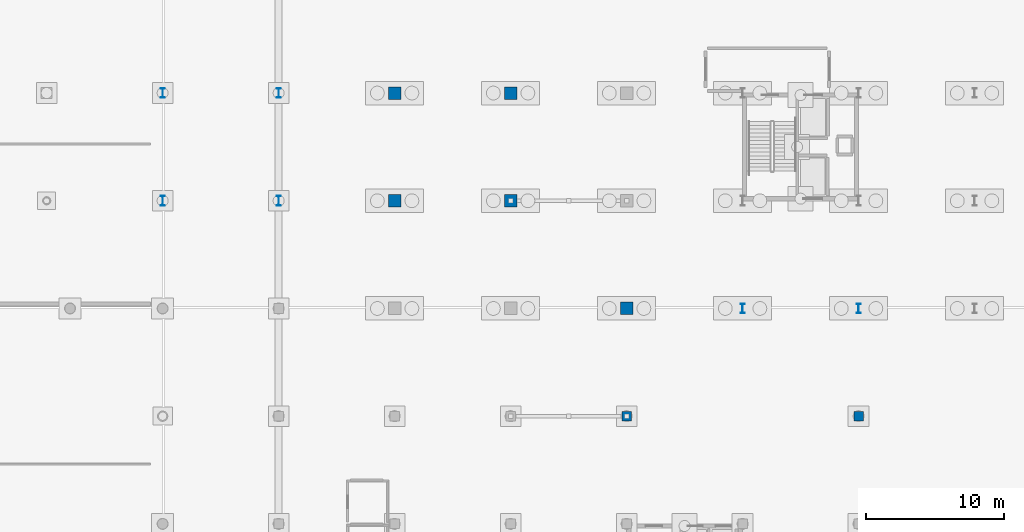
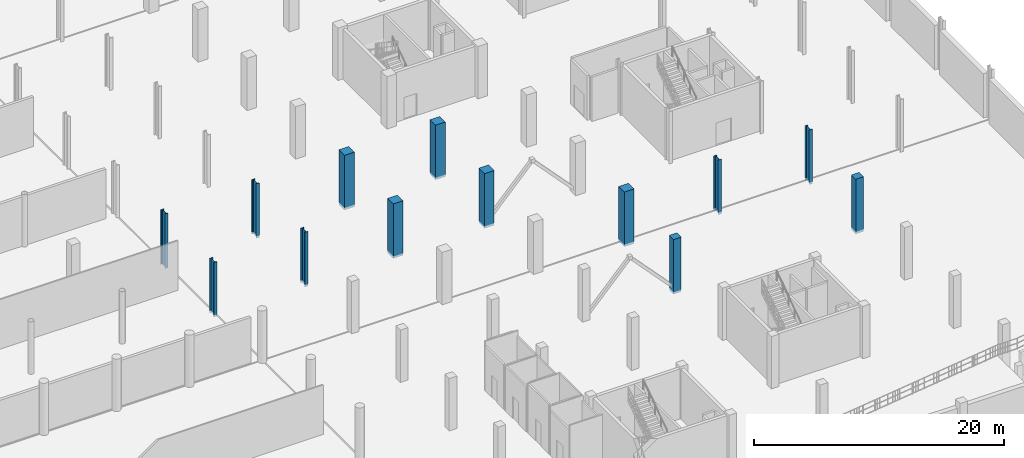
# One storey, part 16 of 48: 13 columns.
"""IFC4 building model written with IfcOpenShell, lengths in metres."""

import ifcopenshell
import ifcopenshell.guid

model = None  # the IFC model being written
_history = None  # IfcOwnerHistory: only IFC2X3 demands one
_inside = {}  # id of a spatial element -> (the spatial element, [elements in it])
_under = {}  # id of a project, library or spatial element -> (it, [spatial elements below it])
_declared = {}  # id of a project -> (the project, [libraries it declares])
_typed = {}  # id of a type object -> (the type object, [elements of that type])
_made_of = {}  # id of a material, layer set ... -> (it, [elements and type objects made of it])


def new_model(schema):
    """Start an empty IFC model of exactly this schema.

    Asked for "IFC4X3", IfcOpenShell would pick the latest addendum, in which some entities
    have other attributes; the version numbers below select the first issue.
    IFC2X3 requires an IfcOwnerHistory on every rooted entity: one is made here for all.
    """
    global model, _history
    if schema == "IFC4X3":
        model = ifcopenshell.file(schema_version=(4, 3, 0, 0))
    else:
        model = ifcopenshell.file(schema=schema)
    _inside.clear()
    _under.clear()
    _declared.clear()
    _typed.clear()
    _made_of.clear()
    _history = None
    if model.schema == "IFC2X3":
        org = make("IfcOrganization", Name="unknown")
        user = make(
            "IfcPersonAndOrganization",
            ThePerson=make("IfcPerson", FamilyName="unknown"),
            TheOrganization=org,
        )
        app = make(
            "IfcApplication",
            ApplicationDeveloper=org,
            Version="unknown",
            ApplicationFullName="unknown",
            ApplicationIdentifier="unknown",
        )
        _history = make(
            "IfcOwnerHistory",
            OwningUser=user,
            OwningApplication=app,
            ChangeAction="ADDED",
            CreationDate=0,
        )
    return model


def make(cls, **values):
    """One entity of the class cls with the attributes given. An attribute that is None is left unset."""
    return model.create_entity(
        cls, **{name: value for name, value in values.items() if value is not None}
    )


def rooted(cls, **values):
    """An entity with a GlobalId (a new one), such as an element, a storey or a relation."""
    return make(cls, GlobalId=ifcopenshell.guid.new(), OwnerHistory=_history, **values)


def si_unit(unit_type, name, prefix=None):
    """IfcSIUnit, for example si_unit("LENGTHUNIT", "METRE", prefix="MILLI")."""
    return make("IfcSIUnit", UnitType=unit_type, Prefix=prefix, Name=name)


def assignment(units):
    """IfcUnitAssignment: the units of a project."""
    return None if units is None else make("IfcUnitAssignment", Units=units)


def point(xyz):
    """IfcCartesianPoint."""
    return None if xyz is None else make("IfcCartesianPoint", Coordinates=xyz)


def direction(xyz):
    """IfcDirection."""
    return None if xyz is None else make("IfcDirection", DirectionRatios=xyz)


def frame(location, z_axis=None, x_axis=None):
    """IfcAxis2Placement3D, a coordinate frame: its origin and axes. An axis left out is left unset."""
    return make(
        "IfcAxis2Placement3D",
        Location=point(location),
        Axis=direction(z_axis),
        RefDirection=direction(x_axis),
    )


def frame_2d(location, x_axis=None):
    """IfcAxis2Placement2D, a coordinate frame in the plane: its origin and x axis."""
    return make(
        "IfcAxis2Placement2D", Location=point(location), RefDirection=direction(x_axis)
    )


def origin():
    """The frame at (0, 0, 0) with its axes left unset."""
    return frame((0.0, 0.0, 0.0))


def origin_2d():
    """The frame at (0, 0) in the plane with its x axis left unset."""
    return frame_2d((0.0, 0.0))


def place(relative_to, where):
    """IfcLocalPlacement: puts the frame where relative to a parent placement (None: the world)."""
    return make(
        "IfcLocalPlacement", PlacementRelTo=relative_to, RelativePlacement=where
    )


def context(
    kind, dimensions, precision=None, world=None, true_north=None, identifier=None
):
    """IfcGeometricRepresentationContext, for example the 3D "Model" context."""
    return make(
        "IfcGeometricRepresentationContext",
        ContextIdentifier=identifier,
        ContextType=kind,
        CoordinateSpaceDimension=dimensions,
        Precision=precision,
        WorldCoordinateSystem=world,
        TrueNorth=true_north,
    )


def subcontext(parent, identifier, kind, view, scale=None):
    """IfcGeometricRepresentationSubContext, for example "Body" below "Model"."""
    return make(
        "IfcGeometricRepresentationSubContext",
        ContextIdentifier=identifier,
        ContextType=kind,
        ParentContext=parent,
        TargetScale=scale,
        TargetView=view,
    )


def project(units=None, contexts=None):
    """IfcProject with its units and contexts."""
    return rooted(
        "IfcProject",
        Name="project",
        RepresentationContexts=contexts,
        UnitsInContext=assignment(units),
    )


def spatial(cls, under=None, at=None, **own):
    """A site, building, storey or space (cls), placed at a placement, below another one or the project."""
    s = rooted(cls, ObjectPlacement=at, **own)
    if under is not None:
        _under.setdefault(under.id(), (under, []))[1].append(s)
    return s


def profile(cls, at=None, kind="AREA", **sizes):
    """A parametric profile (cls). Its sizes go by their IFC names, for example OverallWidth=200.0."""
    return make(cls, ProfileType=kind, Position=at, **sizes)


def rectangle(**sizes):
    """IfcRectangleProfileDef."""
    return profile("IfcRectangleProfileDef", **sizes)


def i_section(**sizes):
    """IfcIShapeProfileDef."""
    return profile("IfcIShapeProfileDef", **sizes)


def extrude(swept, where, along, depth):
    """IfcExtrudedAreaSolid: the profile swept, set in the frame where, extruded along a direction by depth."""
    return make(
        "IfcExtrudedAreaSolid",
        SweptArea=swept,
        Position=where,
        ExtrudedDirection=direction(along),
        Depth=depth,
    )


def shape(context_of_items, identifier, shape_type, items):
    """IfcShapeRepresentation: the items that make up one representation, for example the "Body"."""
    return make(
        "IfcShapeRepresentation",
        ContextOfItems=context_of_items,
        RepresentationIdentifier=identifier,
        RepresentationType=shape_type,
        Items=items,
    )


def material(Name=None, Category=None):
    """IfcMaterial."""
    return make("IfcMaterial", Name=Name, Category=Category)


def material_profile(
    of_material, cross_section, Name=None, Category=None, Priority=None
):
    """IfcMaterialProfile: a cross section and its material."""
    return make(
        "IfcMaterialProfile",
        Name=Name,
        Material=of_material,
        Profile=cross_section,
        Priority=Priority,
        Category=Category,
    )


def profile_set(profiles, Name=None, composite=None):
    """IfcMaterialProfileSet."""
    return make(
        "IfcMaterialProfileSet",
        Name=Name,
        MaterialProfiles=profiles,
        CompositeProfile=composite,
    )


def made_of(thing, what):
    """Note that an element or type object is made of a material, layer set ...; save() writes the relation."""
    if what is not None:
        _made_of.setdefault(what.id(), (what, []))[1].append(thing)
    return thing


def type_object(cls, material=None, **own):
    """A type object (cls), such as IfcWallType, which elements share."""
    return made_of(rooted(cls, **own), material)


def element(
    cls,
    number,
    at=None,
    inside=None,
    cuts=None,
    type_object=None,
    material=None,
    context=None,
    identifier="Body",
    shape_type=None,
    held_by="IfcProductDefinitionShape",
    body=None,
    shapes=None,
    **own,
):
    """One element of the class cls, such as IfcWall. Its Tag is "e" and its number.

    at: its placement. inside: the storey or other place that contains it. cuts: it is an
    opening in that element (IfcRelVoidsElement). A single representation is given by context,
    identifier, shape_type and body (its items); several are given by shapes. held_by: the class
    of the entity that holds the representations. save() writes the other relations.
    """
    e = rooted(cls, Tag="e%d" % number, ObjectPlacement=at, **own)
    if body is not None:
        shapes = [shape(context, identifier, shape_type, body)]
    if shapes is not None:
        e.Representation = make(held_by, Representations=shapes)
    if inside is not None:
        _inside.setdefault(inside.id(), (inside, []))[1].append(e)
    if cuts is not None:
        rooted(
            "IfcRelVoidsElement", RelatingBuildingElement=cuts, RelatedOpeningElement=e
        )
    if type_object is not None:
        _typed.setdefault(type_object.id(), (type_object, []))[1].append(e)
    return made_of(e, material)


def aggregate(whole, parts):
    """IfcRelAggregates: a whole, such as a stair, and the parts it consists of."""
    return rooted("IfcRelAggregates", RelatingObject=whole, RelatedObjects=parts)


def save(model, path):
    """Write the relations noted so far, then the file.

    IfcRelAggregates (storeys below a building ...), IfcRelContainedInSpatialStructure (elements
    in a storey), IfcRelDefinesByType, IfcRelAssociatesMaterial and IfcRelDeclares: one each for
    every whole, place, type object, material and project.
    """
    for whole, parts in _under.values():
        aggregate(whole, parts)
    for where, things in _inside.values():
        rooted(
            "IfcRelContainedInSpatialStructure",
            RelatedElements=things,
            RelatingStructure=where,
        )
    for kind, things in _typed.values():
        rooted("IfcRelDefinesByType", RelatedObjects=things, RelatingType=kind)
    for what, things in _made_of.values():
        rooted("IfcRelAssociatesMaterial", RelatedObjects=things, RelatingMaterial=what)
    for by, libraries in _declared.values():
        rooted("IfcRelDeclares", RelatingContext=by, RelatedDefinitions=libraries)
    model.write(path)


model = new_model("IFC4")

# Units and contexts
model_context = context("Model", 3, precision=1e-05, world=origin(), true_north=direction((0.0, 1.0)))
body_context = subcontext(model_context, "Body", "Model", "MODEL_VIEW")
ifc_project = project(units=[si_unit("LENGTHUNIT", "METRE"), si_unit("AREAUNIT", "SQUARE_METRE"), si_unit("VOLUMEUNIT", "CUBIC_METRE"), si_unit("PLANEANGLEUNIT", "RADIAN"), si_unit("MASSUNIT", "GRAM", prefix="KILO")], contexts=[model_context])

# Site, building, storey
site_placement = place(None, origin())
site = spatial("IfcSite", under=ifc_project, at=site_placement, CompositionType="ELEMENT")
building_placement = place(site_placement, origin())
building = spatial("IfcBuilding", under=site, at=building_placement, Name="Nabrawat Pavilion Hospital", CompositionType="ELEMENT")
storey_placement = place(building_placement, frame((0.0, 0.0, -5.10009765625)))
storey = spatial("IfcBuildingStorey", under=building, at=storey_placement, Name="B1", CompositionType="ELEMENT", Elevation=-5.10009765625)

# Columns
ifc_material_1 = material(Name="Steel S355", Category="steel")
ifc_material_profile_1 = material_profile(ifc_material_1, i_section(OverallWidth=0.300048828125, OverallDepth=0.699951171875, WebThickness=0.01708984375, FlangeThickness=0.031982421875, FilletRadius=0.027099609375, at=origin_2d()), Name="HEB 700")
ifc_profile_set_1 = profile_set([ifc_material_profile_1], Name="Steel S355")
column_type_1 = type_object("IfcColumnType", Name="Base Transfer Steel Column HEB 700", PredefinedType="COLUMN", material=ifc_profile_set_1)
for number, where, z_axis, x_axis, name in (
    (1, (126.0, 46.800048828125, -0.219970703125), (0.0, 0.0, 1.0), (1.0, 0.0, 0.0), "B1 Structural Column G-16A-G"),
    (2, (126.0, 54.60009765625, -0.219970703125), (0.0, 0.0, 1.0), (1.0, 0.0, 0.0), "B1 Structural Column G-16A-H"),
    (3, (134.39990234375, 46.800048828125, -0.219970703125), (0.0, 0.0, 1.0), (1.0, 0.0, 0.0), "B1 Structural Column G-17-G"),
    (4, (134.39990234375, 54.60009765625, -0.219970703125), (0.0, 0.0, 1.0), (1.0, 0.0, 0.0), "B1 Structural Column G-17-H"),
    (5, (168.0, 39.0, -0.219970703125), (0.0, 0.0, 1.0), (1.0, 0.0, 0.0), "B1 Structural Column G-21-F1"),
    (6, (176.39990234375, 39.0, -0.219970703125), (0.0, 0.0, 1.0), (1.0, 0.0, 0.0), "B1 Structural Column G-22-F1"),
):
    element("IfcColumn", number, at=place(storey_placement, frame(where, z_axis=z_axis, x_axis=x_axis)), inside=storey, type_object=column_type_1, Name=name, PredefinedType="COLUMN", context=body_context, shape_type="SweptSolid", body=[
        extrude(i_section(OverallWidth=0.300048828125, OverallDepth=0.699951171875, WebThickness=0.01708984375, FlangeThickness=0.031982421875, FilletRadius=0.027099609375, at=origin_2d()), origin(), (0.0, 0.0, 1.0), 5.320068359375),
    ])
ifc_material_2 = material(Name="Concrete C40/50", Category="concrete")
ifc_material_profile_2 = material_profile(ifc_material_2, rectangle(XDim=0.89990234375, YDim=0.89990234375, at=origin_2d()), Name="RC 900x900")
ifc_profile_set_2 = profile_set([ifc_material_profile_2], Name="Concrete C40/50")
column_type_2 = type_object("IfcColumnType", Name="Lower Ward RC Column 900x900", PredefinedType="COLUMN", material=ifc_profile_set_2)
for number, where, z_axis, x_axis, name in (
    (7, (142.800048828125, 46.800048828125, -0.219970703125), (0.0, 0.0, 1.0), (1.0, 0.0, 0.0), "B1 Structural Column G-18-G"),
    (8, (142.800048828125, 54.60009765625, -0.219970703125), (0.0, 0.0, 1.0), (1.0, 0.0, 0.0), "B1 Structural Column G-18-H"),
    (9, (151.199951171875, 46.800048828125, -0.219970703125), (0.0, 0.0, 1.0), (1.0, 0.0, 0.0), "B1 Structural Column G-19-G"),
    (10, (151.199951171875, 54.60009765625, -0.219970703125), (0.0, 0.0, 1.0), (1.0, 0.0, 0.0), "B1 Structural Column G-19-H"),
    (11, (159.60009765625, 39.0, -0.219970703125), (0.0, 0.0, 1.0), (1.0, 0.0, 0.0), "B1 Structural Column G-20-F1"),
):
    element("IfcColumn", number, at=place(storey_placement, frame(where, z_axis=z_axis, x_axis=x_axis)), inside=storey, type_object=column_type_2, Name=name, PredefinedType="COLUMN", context=body_context, shape_type="SweptSolid", body=[
        extrude(rectangle(XDim=0.89990234375, YDim=0.89990234375, at=origin_2d()), origin(), (0.0, 0.0, 1.0), 5.320068359375),
    ])
ifc_material_profile_3 = material_profile(ifc_material_2, rectangle(XDim=0.699951171875, YDim=0.699951171875, at=origin_2d()), Name="RC 700x700")
ifc_profile_set_3 = profile_set([ifc_material_profile_3], Name="Concrete C40/50")
column_type_3 = type_object("IfcColumnType", Name="Mid-Tier Ward RC Column 700x700", PredefinedType="COLUMN", material=ifc_profile_set_3)
for number, where, z_axis, x_axis, name in (
    (12, (159.60009765625, 31.199951171875, -0.219970703125), (0.0, 0.0, 1.0), (1.0, 0.0, 0.0), "B1 Structural Column G-20-E"),
    (13, (176.39990234375, 31.199951171875, -0.219970703125), (0.0, 0.0, 1.0), (1.0, 0.0, 0.0), "B1 Structural Column G-22-E"),
):
    element("IfcColumn", number, at=place(storey_placement, frame(where, z_axis=z_axis, x_axis=x_axis)), inside=storey, type_object=column_type_3, Name=name, PredefinedType="COLUMN", context=body_context, shape_type="SweptSolid", body=[
        extrude(rectangle(XDim=0.699951171875, YDim=0.699951171875, at=origin_2d()), origin(), (0.0, 0.0, 1.0), 5.320068359375),
    ])

save(model, "model.ifc")
